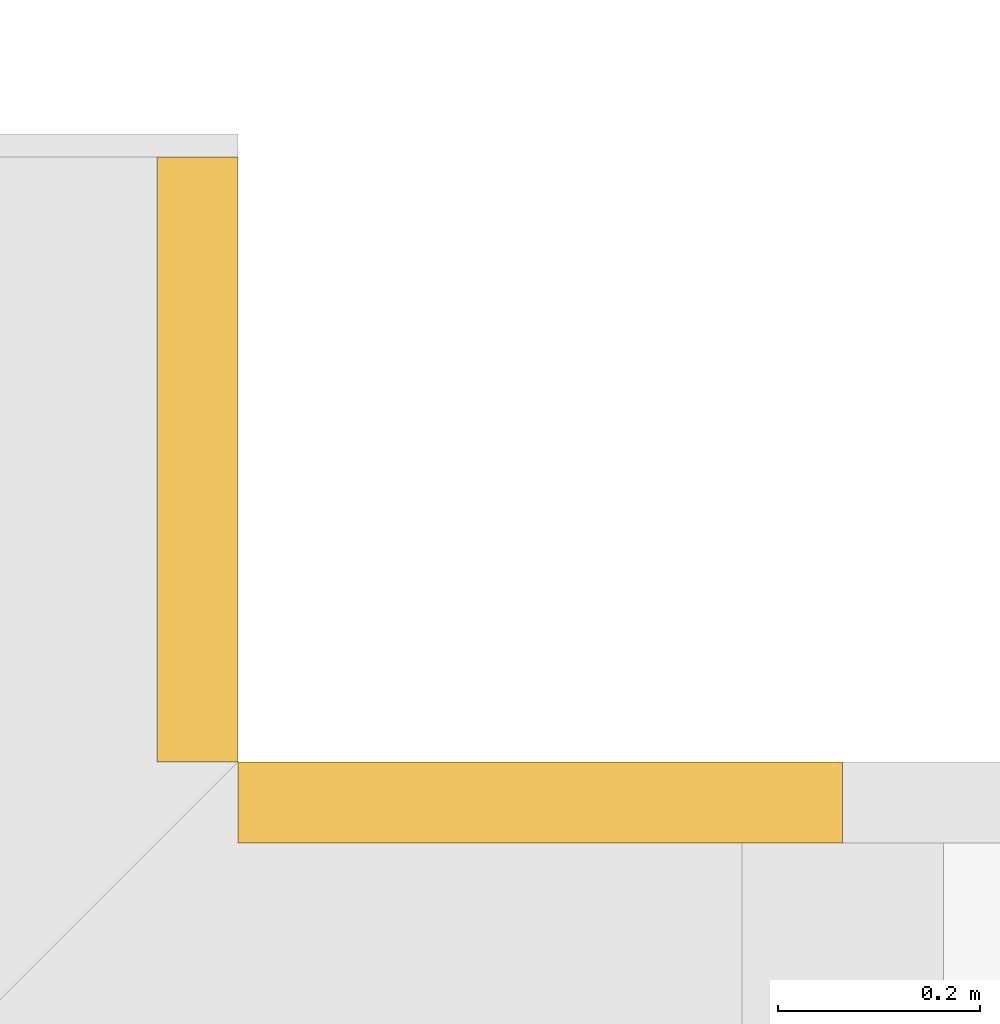
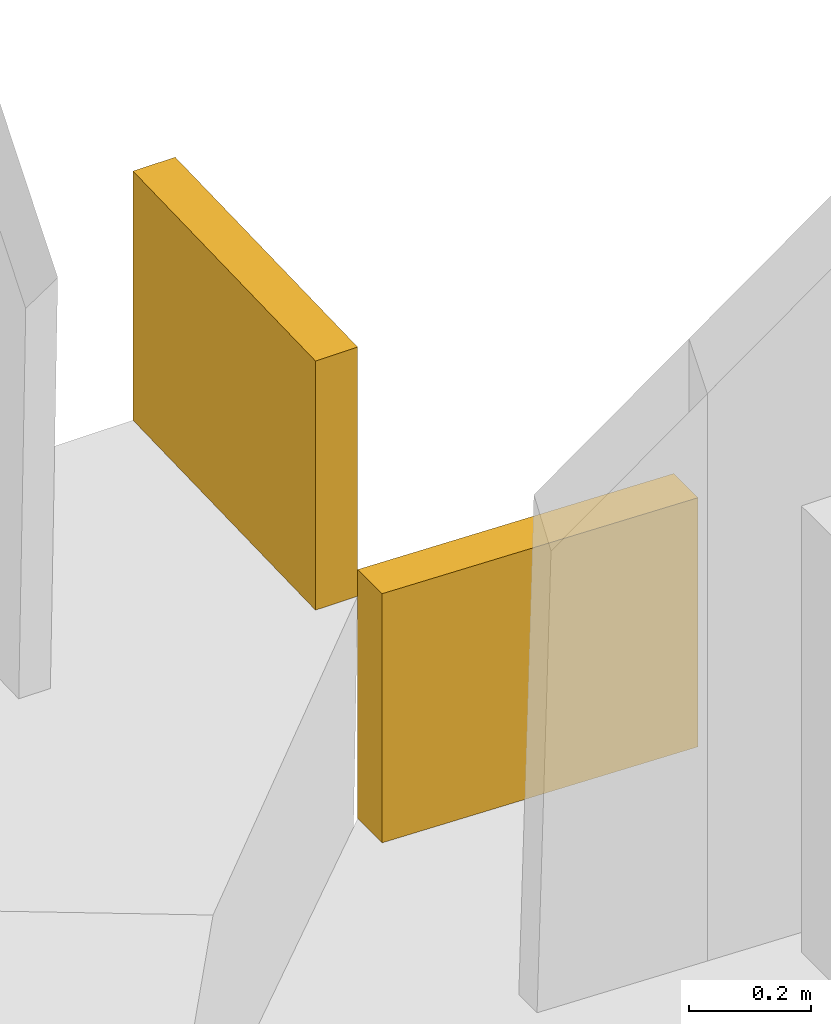
# One storey, part 30 of 30: 2 coverings.
"""IFC4 building model written with IfcOpenShell, lengths in metres."""

from ifc_helpers import new_model, si_unit, direction, frame, origin, place, context, subcontext, project, spatial, polyline, outline, extrude, material, layer, layer_set, type_object, element, save


model = new_model("IFC4")

# Units and contexts
model_context = context("Model", 3, precision=1e-05, world=origin(), true_north=direction((0.0, 1.0)))
body_context = subcontext(model_context, "Body", "Model", "MODEL_VIEW")
ifc_project = project(units=[si_unit("LENGTHUNIT", "METRE"), si_unit("AREAUNIT", "SQUARE_METRE"), si_unit("VOLUMEUNIT", "CUBIC_METRE"), si_unit("PLANEANGLEUNIT", "RADIAN"), si_unit("MASSUNIT", "GRAM", prefix="KILO")], contexts=[model_context])

# Site, building, storey
site_placement = place(None, origin())
site = spatial("IfcSite", under=ifc_project, at=site_placement, CompositionType="ELEMENT")
building_placement = place(site_placement, origin())
building = spatial("IfcBuilding", under=site, at=building_placement, Name="Saffron Gate Tower", CompositionType="ELEMENT")
storey_placement = place(building_placement, frame((0.0, 0.0, 245.10009765625)))
storey = spatial("IfcBuildingStorey", under=building, at=storey_placement, Name="L60", CompositionType="ELEMENT", Elevation=245.10009765625)

# Coverings
ifc_material = material(Name="Timber, thermally modified ash", Category="wood")
ifc_layer = layer(ifc_material, 0.080078125)
ifc_layer_set = layer_set([ifc_layer], Name="LD2 ledge planter trough")
covering_type = type_object("IfcCoveringType", Name="LD2 ledge planter trough", PredefinedType="CLADDING", material=ifc_layer_set)
covering_1_placement = place(storey_placement, frame((125.39990234375, 73.199951171875, 3.024658203125), z_axis=(0.0, 1.0, 0.0), x_axis=(-0.999582742162, 0.0, 0.028884971385)))
element("IfcCovering", 1, at=covering_1_placement, inside=storey, type_object=covering_type, Name="LEDGE planter trough", PredefinedType="CLADDING", context=body_context, shape_type="SweptSolid", body=[
    extrude(outline(polyline([(0.0, 0.0), (0.6001039136866089, 0.0), (0.614546399379222, 0.4997913710809928), (0.014442485692613144, 0.49979137108099286), (0.0, 0.0)])), origin(), (0.0, 0.0, -1.0), 0.080078125),
])
covering_2_placement = place(storey_placement, frame((124.800048828125, 73.199951171875, 3.488525390625), z_axis=(1.0, 0.0, 0.0), x_axis=(0.0, 0.999583081391, 0.028873229772)))
element("IfcCovering", 2, at=covering_2_placement, inside=storey, type_object=covering_type, Name="LEDGE planter trough", PredefinedType="CLADDING", context=body_context, shape_type="SweptSolid", body=[
    extrude(outline(polyline([(0.0, 0.0), (0.6003479524834376, -3.469446951953614e-18), (0.6147845673692678, 0.4997915406953566), (0.014436614885830073, 0.4997915406953566), (0.0, 0.0)])), origin(), (0.0, 0.0, -1.0), 0.080078125),
])

save(model, "model.ifc")
